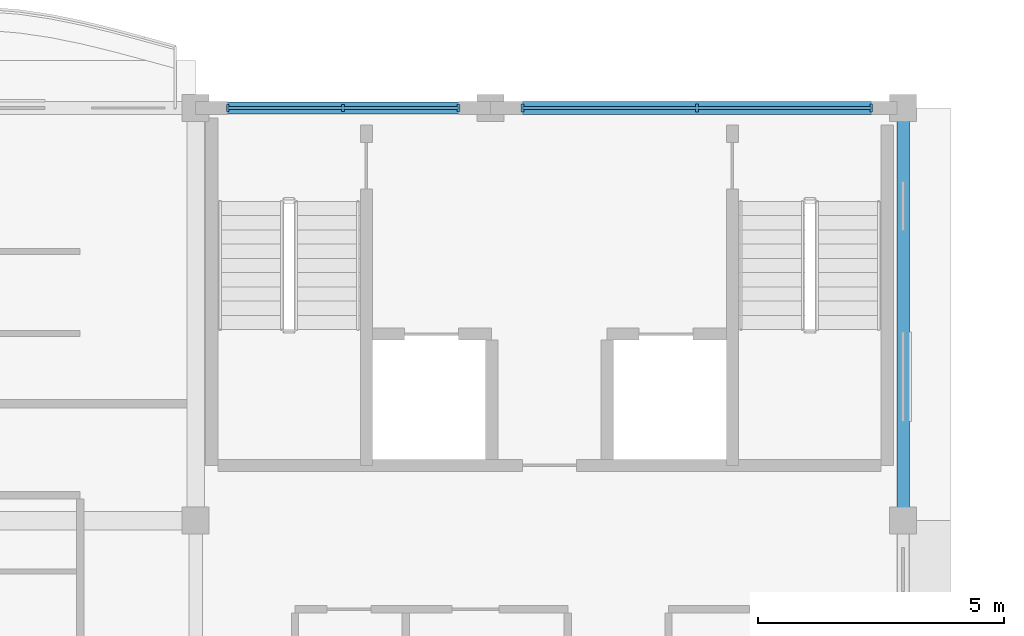
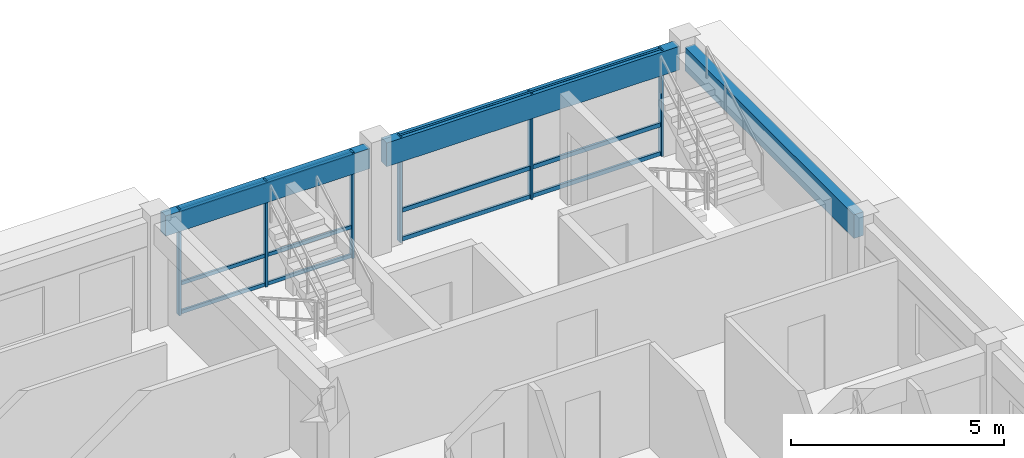
# One storey, part 7 of 45: 12 members, 3 beams, 2 elements without a shape of their own.
"""IFC4 building model written with IfcOpenShell, lengths in metres."""

from ifc_helpers import new_model, si_unit, direction, frame, origin, origin_2d, place, context, subcontext, project, spatial, rectangle, extrude, material, material_profile, profile_set, type_object, element, aggregate, save


model = new_model("IFC4")

# Units and contexts
model_context = context("Model", 3, precision=1e-05, world=origin(), true_north=direction((0.0, 1.0)))
body_context = subcontext(model_context, "Body", "Model", "MODEL_VIEW")
ifc_project = project(units=[si_unit("LENGTHUNIT", "METRE"), si_unit("AREAUNIT", "SQUARE_METRE"), si_unit("VOLUMEUNIT", "CUBIC_METRE"), si_unit("PLANEANGLEUNIT", "RADIAN"), si_unit("MASSUNIT", "GRAM", prefix="KILO"), si_unit("THERMODYNAMICTEMPERATUREUNIT", "KELVIN")], contexts=[model_context])

# Site, building, storey
site_placement = place(None, origin())
site = spatial("IfcSite", under=ifc_project, at=site_placement, CompositionType="ELEMENT")
building_placement = place(site_placement, origin())
building = spatial("IfcBuilding", under=site, at=building_placement, Name="Thalorik Housing Commons", CompositionType="ELEMENT")
storey_placement = place(building_placement, frame((0.0, 0.0, 34.5)))
storey = spatial("IfcBuildingStorey", under=building, at=storey_placement, Name="L10", CompositionType="ELEMENT", Elevation=34.5)

# Curtain wall, members
ifc_material_1 = material(Name="Anodised aluminium and solar-control low-E glass", Category="aluminium")
curtain_wall_type = type_object("IfcCurtainWallType", Name="ARC-CW-CORE", PredefinedType="USERDEFINED", material=ifc_material_1)
curtain_wall_1_placement = place(storey_placement, origin())
curtain_wall_1 = element("IfcCurtainWall", 1, at=curtain_wall_1_placement, inside=storey, type_object=curtain_wall_type, Name="L10 Curtain Wall CW-CORE-L10-B-117", ObjectType="CURTAIN WALL", PredefinedType="USERDEFINED")
ifc_material_2 = material(Name="Anodised aluminium 6063-T6", Category="aluminium")
ifc_material_profile_1 = material_profile(ifc_material_2, rectangle(XDim=0.054931640625, YDim=0.139892578125, at=origin_2d()), Name="ALU MUL 55x140", Category="aluminium")
ifc_profile_set_1 = profile_set([ifc_material_profile_1], Name="Anodised aluminium 6063-T6")
member_type_1 = type_object("IfcMemberType", Name="ARC-CW-MUL-55x140", PredefinedType="MULLION", material=ifc_profile_set_1)
member_1_placement = place(storey_placement, frame((157.75, 123.60009765625, 0.0), z_axis=(0.0, 0.0, 1.0), x_axis=(-1.0, 0.0, 0.0)))
member_1 = element("IfcMember", 2, at=member_1_placement, type_object=member_type_1, Name="CW-CORE-L10-B-117 Mullion 1", PredefinedType="MULLION", context=body_context, shape_type="SweptSolid", body=[
    extrude(rectangle(XDim=0.054931640625, YDim=0.139892578125, at=origin_2d()), origin(), (0.0, 0.0, 1.0), 3.0400390625),
])
member_2_placement = place(storey_placement, frame((155.39990234375, 123.60009765625, 0.0), z_axis=(0.0, 0.0, 1.0), x_axis=(-1.0, 0.0, 0.0)))
member_2 = element("IfcMember", 3, at=member_2_placement, type_object=member_type_1, Name="CW-CORE-L10-B-117 Mullion 2", PredefinedType="MULLION", context=body_context, shape_type="SweptSolid", body=[
    extrude(rectangle(XDim=0.054931640625, YDim=0.139892578125, at=origin_2d()), origin(), (0.0, 0.0, 1.0), 3.0400390625),
])
member_3_placement = place(storey_placement, frame((153.050048828125, 123.60009765625, 0.0), z_axis=(0.0, 0.0, 1.0), x_axis=(-1.0, 0.0, 0.0)))
member_3 = element("IfcMember", 4, at=member_3_placement, type_object=member_type_1, Name="CW-CORE-L10-B-117 Mullion 3", PredefinedType="MULLION", context=body_context, shape_type="SweptSolid", body=[
    extrude(rectangle(XDim=0.054931640625, YDim=0.139892578125, at=origin_2d()), origin(), (0.0, 0.0, 1.0), 3.0400390625),
])

curtain_wall_2_placement = place(storey_placement, origin())
curtain_wall_2 = element("IfcCurtainWall", 5, at=curtain_wall_2_placement, inside=storey, type_object=curtain_wall_type, Name="L10 Curtain Wall CW-CORE-L10-B-116", ObjectType="CURTAIN WALL", PredefinedType="USERDEFINED")
ifc_material_profile_2 = material_profile(ifc_material_2, rectangle(XDim=0.06005859375, YDim=0.159912109375, at=origin_2d()), Name="ALU MUL 60x160", Category="aluminium")
ifc_profile_set_2 = profile_set([ifc_material_profile_2], Name="Anodised aluminium 6063-T6")
member_type_2 = type_object("IfcMemberType", Name="ARC-CW-MUL-60x160", PredefinedType="MULLION", material=ifc_profile_set_2)
member_4_placement = place(storey_placement, frame((166.14990234375, 123.60009765625, 0.0), z_axis=(0.0, 0.0, 1.0), x_axis=(-1.0, 0.0, 0.0)))
member_4 = element("IfcMember", 6, at=member_4_placement, type_object=member_type_2, Name="CW-CORE-L10-B-116 Mullion 1", PredefinedType="MULLION", context=body_context, shape_type="SweptSolid", body=[
    extrude(rectangle(XDim=0.06005859375, YDim=0.159912109375, at=origin_2d()), origin(), (0.0, 0.0, 1.0), 3.0400390625),
])
member_5_placement = place(storey_placement, frame((162.60009765625, 123.60009765625, 0.0), z_axis=(0.0, 0.0, 1.0), x_axis=(-1.0, 0.0, 0.0)))
member_5 = element("IfcMember", 7, at=member_5_placement, type_object=member_type_2, Name="CW-CORE-L10-B-116 Mullion 2", PredefinedType="MULLION", context=body_context, shape_type="SweptSolid", body=[
    extrude(rectangle(XDim=0.06005859375, YDim=0.159912109375, at=origin_2d()), origin(), (0.0, 0.0, 1.0), 3.0400390625),
])
member_6_placement = place(storey_placement, frame((159.050048828125, 123.60009765625, 0.0), z_axis=(0.0, 0.0, 1.0), x_axis=(-1.0, 0.0, 0.0)))
member_6 = element("IfcMember", 8, at=member_6_placement, type_object=member_type_2, Name="CW-CORE-L10-B-116 Mullion 3", PredefinedType="MULLION", context=body_context, shape_type="SweptSolid", body=[
    extrude(rectangle(XDim=0.06005859375, YDim=0.159912109375, at=origin_2d()), origin(), (0.0, 0.0, 1.0), 3.0400390625),
])

# Member
ifc_material_profile_3 = material_profile(ifc_material_2, rectangle(XDim=0.054931640625, YDim=0.10498046875, at=origin_2d()), Name="ALU TRN 55x105", Category="aluminium")
ifc_profile_set_3 = profile_set([ifc_material_profile_3], Name="Anodised aluminium 6063-T6")
member_type_3 = type_object("IfcMemberType", Name="ARC-CW-TRN-55x105", PredefinedType="USERDEFINED", material=ifc_profile_set_3)
member_7_placement = place(storey_placement, frame((157.75, 123.60009765625, 0.054931640625), z_axis=(-1.0, 0.0, 0.0), x_axis=(0.0, -1.0, 0.0)))
member_7 = element("IfcMember", 9, at=member_7_placement, type_object=member_type_3, Name="CW-CORE-L10-B-117 Transom 1", ObjectType="TRANSOM", PredefinedType="USERDEFINED", context=body_context, shape_type="SweptSolid", body=[
    extrude(rectangle(XDim=0.054931640625, YDim=0.10498046875, at=origin_2d()), origin(), (0.0, 0.0, 1.0), 4.699951171875),
])

member_8_placement = place(storey_placement, frame((157.75, 123.60009765625, 0.8798828125), z_axis=(-1.0, 0.0, 0.0), x_axis=(0.0, -1.0, 0.0)))
member_8 = element("IfcMember", 10, at=member_8_placement, type_object=member_type_3, Name="CW-CORE-L10-B-117 Transom 2", ObjectType="TRANSOM", PredefinedType="USERDEFINED", context=body_context, shape_type="SweptSolid", body=[
    extrude(rectangle(XDim=0.054931640625, YDim=0.10498046875, at=origin_2d()), origin(), (0.0, 0.0, 1.0), 4.699951171875),
])

member_9_placement = place(storey_placement, frame((157.75, 123.60009765625, 2.985107421875), z_axis=(-1.0, 0.0, 0.0), x_axis=(0.0, -1.0, 0.0)))
member_9 = element("IfcMember", 11, at=member_9_placement, type_object=member_type_3, Name="CW-CORE-L10-B-117 Transom 3", ObjectType="TRANSOM", PredefinedType="USERDEFINED", context=body_context, shape_type="SweptSolid", body=[
    extrude(rectangle(XDim=0.054931640625, YDim=0.10498046875, at=origin_2d()), origin(), (0.0, 0.0, 1.0), 4.699951171875),
])

aggregate(curtain_wall_1, [member_1, member_2, member_3, member_7, member_8, member_9])

ifc_material_profile_4 = material_profile(ifc_material_2, rectangle(XDim=0.06005859375, YDim=0.1201171875, at=origin_2d()), Name="ALU TRN 60x120", Category="aluminium")
ifc_profile_set_4 = profile_set([ifc_material_profile_4], Name="Anodised aluminium 6063-T6")
member_type_4 = type_object("IfcMemberType", Name="ARC-CW-TRN-60x120", PredefinedType="USERDEFINED", material=ifc_profile_set_4)
member_10_placement = place(storey_placement, frame((166.14990234375, 123.60009765625, 0.054931640625), z_axis=(-1.0, 0.0, 0.0), x_axis=(0.0, -1.0, 0.0)))
member_10 = element("IfcMember", 12, at=member_10_placement, type_object=member_type_4, Name="CW-CORE-L10-B-116 Transom 1", ObjectType="TRANSOM", PredefinedType="USERDEFINED", context=body_context, shape_type="SweptSolid", body=[
    extrude(rectangle(XDim=0.06005859375, YDim=0.1201171875, at=origin_2d()), origin(), (0.0, 0.0, 1.0), 7.099853515625),
])

member_11_placement = place(storey_placement, frame((166.14990234375, 123.60009765625, 0.8798828125), z_axis=(-1.0, 0.0, 0.0), x_axis=(0.0, -1.0, 0.0)))
member_11 = element("IfcMember", 13, at=member_11_placement, type_object=member_type_4, Name="CW-CORE-L10-B-116 Transom 2", ObjectType="TRANSOM", PredefinedType="USERDEFINED", context=body_context, shape_type="SweptSolid", body=[
    extrude(rectangle(XDim=0.06005859375, YDim=0.1201171875, at=origin_2d()), origin(), (0.0, 0.0, 1.0), 7.099853515625),
])

member_12_placement = place(storey_placement, frame((166.14990234375, 123.60009765625, 2.985107421875), z_axis=(-1.0, 0.0, 0.0), x_axis=(0.0, -1.0, 0.0)))
member_12 = element("IfcMember", 14, at=member_12_placement, type_object=member_type_4, Name="CW-CORE-L10-B-116 Transom 3", ObjectType="TRANSOM", PredefinedType="USERDEFINED", context=body_context, shape_type="SweptSolid", body=[
    extrude(rectangle(XDim=0.06005859375, YDim=0.1201171875, at=origin_2d()), origin(), (0.0, 0.0, 1.0), 7.099853515625),
])

aggregate(curtain_wall_2, [member_4, member_5, member_6, member_10, member_11, member_12])

# Beams
ifc_material_3 = material(Name="Precast concrete C40/50", Category="concrete")
ifc_material_profile_5 = material_profile(ifc_material_3, rectangle(XDim=0.239990234375, YDim=0.580078125, at=origin_2d()), Name="PC SP 240x580", Category="concrete")
ifc_profile_set_5 = profile_set([ifc_material_profile_5], Name="Precast concrete C40/50")
beam_type_1 = type_object("IfcBeamType", Name="STR-SP-PC240x580", PredefinedType="SPANDREL", material=ifc_profile_set_5)
beam_placement = place(storey_placement, frame((152.625, 123.60009765625, 2.75), z_axis=(1.0, 0.0, 0.0), x_axis=(0.0, 1.0, 0.0)))
element("IfcBeam", 15, at=beam_placement, inside=storey, type_object=beam_type_1, Name="L10 Beam B-500", PredefinedType="SPANDREL", context=body_context, shape_type="SweptSolid", body=[
    extrude(rectangle(XDim=0.239990234375, YDim=0.580078125, at=origin_2d()), origin(), (0.0, 0.0, 1.0), 5.550048828125),
])
ifc_material_profile_6 = material_profile(ifc_material_3, rectangle(XDim=0.260009765625, YDim=0.679931640625, at=origin_2d()), Name="PC SP 260x680", Category="concrete")
ifc_profile_set_6 = profile_set([ifc_material_profile_6], Name="Precast concrete C40/50")
beam_type_2 = type_object("IfcBeamType", Name="STR-SP-PC260x680", PredefinedType="SPANDREL", material=ifc_profile_set_6)
for number, where, z_axis, x_axis, name in (
    (16, (158.625, 123.60009765625, 2.699951171875), (1.0, 0.0, 0.0), (0.0, 1.0, 0.0), "L10 Beam B-650"),
    (17, (166.800048828125, 115.425048828125, 2.699951171875), (0.0, 1.0, 0.0), (-1.0, 0.0, 0.0), "L10 Beam B-600"),
):
    element("IfcBeam", number, at=place(storey_placement, frame(where, z_axis=z_axis, x_axis=x_axis)), inside=storey, type_object=beam_type_2, Name=name, PredefinedType="SPANDREL", context=body_context, shape_type="SweptSolid", body=[
        extrude(rectangle(XDim=0.260009765625, YDim=0.679931640625, at=origin_2d()), origin(), (0.0, 0.0, 1.0), 7.949951171875),
    ])

save(model, "model.ifc")
